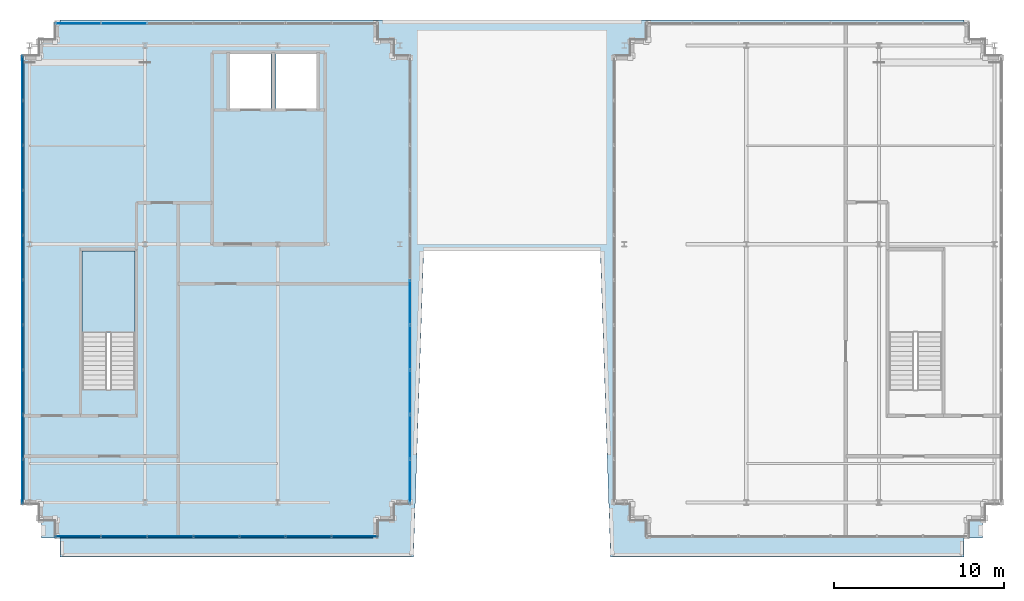
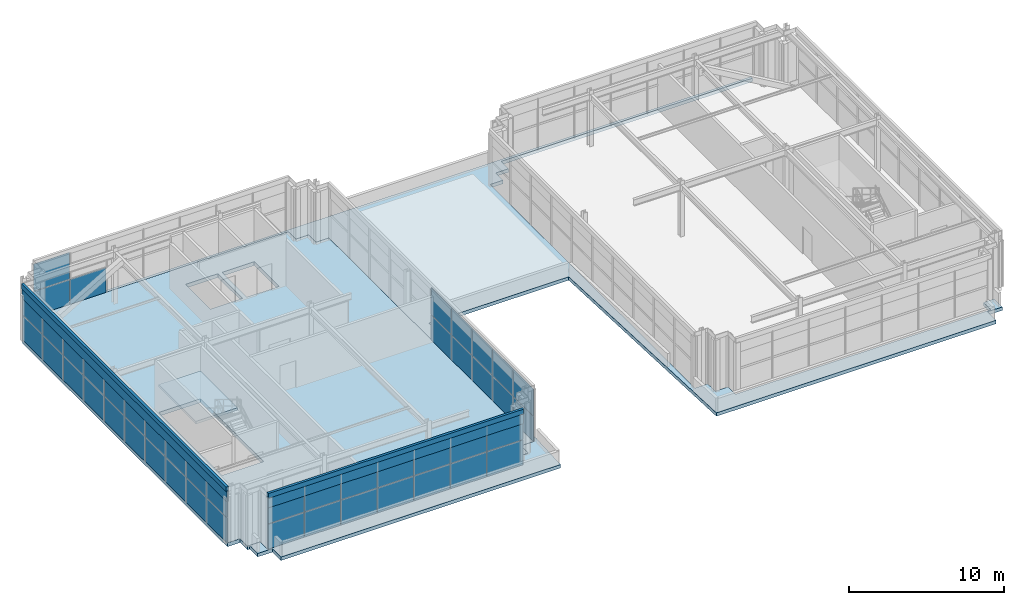
# One storey, part 23 of 31: 51 plates, 3 slabs, 5 elements without a shape of their own.
"""IFC4 building model written with IfcOpenShell, lengths in metres."""

from ifc_helpers import new_model, si_unit, direction, frame, origin, origin_2d, place, context, subcontext, project, spatial, polyline, rectangle, outline, extrude, source, transform, mapped, material, layer, layer_set, type_object, element, aggregate, save


model = new_model("IFC4")

# Units and contexts
model_context = context("Model", 3, precision=1e-05, world=origin(), true_north=direction((0.0, 1.0)))
body_context = subcontext(model_context, "Body", "Model", "MODEL_VIEW")
ifc_project = project(units=[si_unit("LENGTHUNIT", "METRE"), si_unit("AREAUNIT", "SQUARE_METRE"), si_unit("VOLUMEUNIT", "CUBIC_METRE"), si_unit("PLANEANGLEUNIT", "RADIAN"), si_unit("MASSUNIT", "GRAM", prefix="KILO")], contexts=[model_context])

# Site, building, storey
site_placement = place(None, origin())
site = spatial("IfcSite", under=ifc_project, at=site_placement, CompositionType="ELEMENT")
building_placement = place(site_placement, origin())
building = spatial("IfcBuilding", under=site, at=building_placement, Name="Trelvane Seafront Commons", CompositionType="ELEMENT")
storey_placement = place(building_placement, frame((0.0, 0.0, 307.89990234375)))
storey = spatial("IfcBuildingStorey", under=building, at=storey_placement, Name="L80", CompositionType="ELEMENT", Elevation=307.89990234375)

# Stair, slab
ifc_material_1 = material(Name="Concrete C40/50", Category="concrete")
stair_type = type_object("IfcStairType", Name="ARCH-STR-ST-5-R26-169", PredefinedType="HALF_TURN_STAIR", material=ifc_material_1)
stair_placement = place(storey_placement, origin())
stair = element("IfcStair", 1, at=stair_placement, inside=storey, type_object=stair_type, Name="L80 Crown West Peak Enclosed Maintenance Exit Stair ST-5", PredefinedType="HALF_TURN_STAIR")
ifc_layer_1 = layer(ifc_material_1, 0.199951171875, Name="ARCH-LND-200")
ifc_layer_set_1 = layer_set([ifc_layer_1], Name="Concrete C40/50")
slab_type_1 = type_object("IfcSlabType", Name="ARCH-LND-200", PredefinedType="LANDING", material=ifc_layer_set_1)
slab_1_placement = place(storey_placement, frame((0.0, 0.0, 2.0)))
slab_1 = element("IfcSlab", 2, at=slab_1_placement, type_object=slab_type_1, Name="ST-5 landing 1", PredefinedType="LANDING", context=body_context, shape_type="SweptSolid", body=[
    extrude(outline(polyline([(15.0, 28.2099609375), (15.0, 33.0), (11.89990234375, 33.0), (11.89990234375, 28.2099609375), (15.0, 28.2099609375)])), origin(), (0.0, 0.0, 1.0), 0.2001953125),
])
aggregate(stair, [slab_1])

# Slabs
ifc_layer_2 = layer(ifc_material_1, 0.27001953125, Name="STR-ROOF-270")
ifc_layer_set_2 = layer_set([ifc_layer_2], Name="Concrete C40/50")
slab_type_2 = type_object("IfcSlabType", Name="STR-ROOF-270", PredefinedType="ROOF", material=ifc_layer_set_2)
slab_2_placement = place(storey_placement, frame((0.0, 0.0, -0.27001953125)))
element("IfcSlab", 3, at=slab_2_placement, inside=storey, type_object=slab_type_2, Name="L80 Crown Setback Step Roof Slab", PredefinedType="ROOF", context=body_context, shape_type="SweptSolid", body=[
    extrude(outline(polyline([(64.89990234375, 17.14990234375), (64.10009765625, 17.14990234375), (64.10009765625, 16.199951171875), (45.10009765625, 16.199951171875), (45.10009765625, 17.14990234375), (44.14990234375, 17.14990234375), (44.14990234375, 18.10009765625), (43.199951171875, 18.10009765625), (43.199951171875, 44.5), (44.14990234375, 44.5), (44.14990234375, 45.449951171875), (45.10009765625, 45.449951171875), (45.10009765625, 46.39990234375), (63.800048828125, 46.39990234375), (63.800048828125, 46.60009765625), (10.60009765625, 46.60009765625), (10.60009765625, 46.39990234375), (29.300048828125, 46.39990234375), (29.300048828125, 45.449951171875), (30.25, 45.449951171875), (30.25, 44.5), (31.199951171875, 44.5), (31.199951171875, 18.10009765625), (30.25, 18.10009765625), (30.25, 17.14990234375), (29.300048828125, 17.14990234375), (29.300048828125, 16.199951171875), (10.300048828125, 16.199951171875), (10.300048828125, 17.14990234375), (9.5, 17.14990234375), (9.5, 16.10009765625), (10.60009765625, 16.10009765625), (10.60009765625, 15.0), (31.39990234375, 15.0), (32.0, 33.0), (42.39990234375, 33.0), (43.0, 15.0), (63.800048828125, 15.0), (63.800048828125, 16.10009765625), (64.89990234375, 16.10009765625), (64.89990234375, 17.14990234375)])), origin(), (0.0, 0.0, 1.0), 0.27001953125),
])
ifc_material_2 = material(Name="Concrete C50/60", Category="concrete")
ifc_layer_3 = layer(ifc_material_2, 0.2900390625, Name="STR-SLB-CRN290")
ifc_layer_set_3 = layer_set([ifc_layer_3], Name="Concrete C50/60")
slab_type_3 = type_object("IfcSlabType", Name="STR-SLB-CRN290", PredefinedType="FLOOR", material=ifc_layer_set_3)
slab_3_placement = place(storey_placement, frame((0.0, 0.0, -0.2998046875)))
element("IfcSlab", 4, at=slab_3_placement, inside=storey, type_object=slab_type_3, Name="L80 West Crown Peak Floor Slab", PredefinedType="FLOOR", context=body_context, shape_type="SweptSolid", body=[
    extrude(outline(polyline([(10.300048828125, 16.199951171875), (29.300048828125, 16.199951171875), (29.300048828125, 17.14990234375), (30.25, 17.14990234375), (30.25, 18.10009765625), (31.199951171875, 18.10009765625), (31.199951171875, 44.5), (30.25, 44.5), (30.25, 45.449951171875), (29.300048828125, 45.449951171875), (29.300048828125, 46.39990234375), (10.300048828125, 46.39990234375), (10.300048828125, 45.449951171875), (9.35009765625, 45.449951171875), (9.35009765625, 44.5), (8.39990234375, 44.5), (8.39990234375, 18.10009765625), (9.35009765625, 18.10009765625), (9.35009765625, 17.14990234375), (10.300048828125, 17.14990234375), (10.300048828125, 16.199951171875)]), holes=[polyline([(15.0, 33.0), (15.0, 24.85009765625), (11.89990234375, 24.85009765625), (11.89990234375, 33.0), (15.0, 33.0)]), polyline([(23.0, 44.60009765625), (23.0, 41.39990234375), (20.60009765625, 41.39990234375), (20.60009765625, 44.60009765625), (23.0, 44.60009765625)]), polyline([(25.699951171875, 44.60009765625), (25.699951171875, 41.39990234375), (23.300048828125, 41.39990234375), (23.300048828125, 44.60009765625), (25.699951171875, 44.60009765625)])]), origin(), (0.0, 0.0, 1.0), 0.2998046875),
])

# Curtain wall, plates
ifc_material_3 = material(Name="Anodised pale-silver aluminium", Category="aluminium")
curtain_wall_type = type_object("IfcCurtainWallType", Name="ARCH-CW6-CROWN", PredefinedType="NOTDEFINED", material=ifc_material_3)
curtain_wall_1_placement = place(storey_placement, origin())
curtain_wall_1 = element("IfcCurtainWall", 5, at=curtain_wall_1_placement, inside=storey, type_object=curtain_wall_type, Name="CW-L80-0136", PredefinedType="NOTDEFINED")
ifc_material_4 = material(Name="Low-E coastal double glazing", Category="glass")
ifc_layer_4 = layer(ifc_material_4, 0.033935546875, Name="ARCH-CW-GLAZ-34")
ifc_layer_set_4 = layer_set([ifc_layer_4], Name="Low-E coastal double glazing")
plate_type_1 = type_object("IfcPlateType", Name="ARCH-CW-GLAZ-34", PredefinedType="CURTAIN_PANEL", material=ifc_layer_set_4)
shared_shape_1 = source(origin(), body_context, "Body", "SweptSolid", [
    extrude(rectangle(XDim=2.615966796875, YDim=0.031982421875, at=origin_2d()), origin(), (0.0, 0.0, 1.0), 1.949951171875),
])
plate_1_placement = place(storey_placement, frame((8.39990234375, 19.419921875, 0.0), z_axis=(0.0, 0.0, 1.0), x_axis=(0.0, 1.0, 0.0)))
plate_1 = element("IfcPlate", 6, at=plate_1_placement, type_object=plate_type_1, Name="CW-L80-0136-P00-1", PredefinedType="CURTAIN_PANEL", context=body_context, shape_type="MappedRepresentation", body=[
    mapped(shared_shape_1, transform((0.0, 0.0, 0.0), x_axis=(1.0, 0.0, 0.0), y_axis=(0.0, 1.0, 0.0), z_axis=(0.0, 0.0, 1.0), scale=1.0)),
])
plate_2_placement = place(storey_placement, frame((8.39990234375, 22.06005859375, 0.0), z_axis=(0.0, 0.0, 1.0), x_axis=(0.0, 1.0, 0.0)))
plate_2 = element("IfcPlate", 7, at=plate_2_placement, type_object=plate_type_1, Name="CW-L80-0136-P01-1", PredefinedType="CURTAIN_PANEL", context=body_context, shape_type="MappedRepresentation", body=[
    mapped(shared_shape_1, transform((0.0, 0.0, 0.0), x_axis=(1.0, 0.0, 0.0), y_axis=(0.0, 1.0, 0.0), z_axis=(0.0, 0.0, 1.0), scale=1.0)),
])
plate_3_placement = place(storey_placement, frame((8.39990234375, 24.699951171875, 0.0), z_axis=(0.0, 0.0, 1.0), x_axis=(0.0, 1.0, 0.0)))
plate_3 = element("IfcPlate", 8, at=plate_3_placement, type_object=plate_type_1, Name="CW-L80-0136-P02-1", PredefinedType="CURTAIN_PANEL", context=body_context, shape_type="MappedRepresentation", body=[
    mapped(shared_shape_1, transform((0.0, 0.0, 0.0), x_axis=(1.0, 0.0, 0.0), y_axis=(0.0, 1.0, 0.0), z_axis=(0.0, 0.0, 1.0), scale=1.0)),
])
plate_4_placement = place(storey_placement, frame((8.39990234375, 27.340087890625, 0.0), z_axis=(0.0, 0.0, 1.0), x_axis=(0.0, 1.0, 0.0)))
plate_4 = element("IfcPlate", 9, at=plate_4_placement, type_object=plate_type_1, Name="CW-L80-0136-P03-1", PredefinedType="CURTAIN_PANEL", context=body_context, shape_type="MappedRepresentation", body=[
    mapped(shared_shape_1, transform((0.0, 0.0, 0.0), x_axis=(1.0, 0.0, 0.0), y_axis=(0.0, 1.0, 0.0), z_axis=(0.0, 0.0, 1.0), scale=1.0)),
])
plate_5_placement = place(storey_placement, frame((8.39990234375, 29.97998046875, 0.0), z_axis=(0.0, 0.0, 1.0), x_axis=(0.0, 1.0, 0.0)))
plate_5 = element("IfcPlate", 10, at=plate_5_placement, type_object=plate_type_1, Name="CW-L80-0136-P04-1", PredefinedType="CURTAIN_PANEL", context=body_context, shape_type="MappedRepresentation", body=[
    mapped(shared_shape_1, transform((0.0, 0.0, 0.0), x_axis=(1.0, 0.0, 0.0), y_axis=(0.0, 1.0, 0.0), z_axis=(0.0, 0.0, 1.0), scale=1.0)),
])
plate_6_placement = place(storey_placement, frame((8.39990234375, 32.6201171875, 0.0), z_axis=(0.0, 0.0, 1.0), x_axis=(0.0, 1.0, 0.0)))
plate_6 = element("IfcPlate", 11, at=plate_6_placement, type_object=plate_type_1, Name="CW-L80-0136-P05-1", PredefinedType="CURTAIN_PANEL", context=body_context, shape_type="MappedRepresentation", body=[
    mapped(shared_shape_1, transform((0.0, 0.0, 0.0), x_axis=(1.0, 0.0, 0.0), y_axis=(0.0, 1.0, 0.0), z_axis=(0.0, 0.0, 1.0), scale=1.0)),
])
plate_7_placement = place(storey_placement, frame((8.39990234375, 35.260009765625, 0.0), z_axis=(0.0, 0.0, 1.0), x_axis=(0.0, 1.0, 0.0)))
plate_7 = element("IfcPlate", 12, at=plate_7_placement, type_object=plate_type_1, Name="CW-L80-0136-P06-1", PredefinedType="CURTAIN_PANEL", context=body_context, shape_type="MappedRepresentation", body=[
    mapped(shared_shape_1, transform((0.0, 0.0, 0.0), x_axis=(1.0, 0.0, 0.0), y_axis=(0.0, 1.0, 0.0), z_axis=(0.0, 0.0, 1.0), scale=1.0)),
])
plate_8_placement = place(storey_placement, frame((8.39990234375, 37.89990234375, 0.0), z_axis=(0.0, 0.0, 1.0), x_axis=(0.0, 1.0, 0.0)))
plate_8 = element("IfcPlate", 13, at=plate_8_placement, type_object=plate_type_1, Name="CW-L80-0136-P07-1", PredefinedType="CURTAIN_PANEL", context=body_context, shape_type="MappedRepresentation", body=[
    mapped(shared_shape_1, transform((0.0, 0.0, 0.0), x_axis=(1.0, 0.0, 0.0), y_axis=(0.0, 1.0, 0.0), z_axis=(0.0, 0.0, 1.0), scale=1.0)),
])
plate_9_placement = place(storey_placement, frame((8.39990234375, 40.5400390625, 0.0), z_axis=(0.0, 0.0, 1.0), x_axis=(0.0, 1.0, 0.0)))
plate_9 = element("IfcPlate", 14, at=plate_9_placement, type_object=plate_type_1, Name="CW-L80-0136-P08-1", PredefinedType="CURTAIN_PANEL", context=body_context, shape_type="MappedRepresentation", body=[
    mapped(shared_shape_1, transform((0.0, 0.0, 0.0), x_axis=(1.0, 0.0, 0.0), y_axis=(0.0, 1.0, 0.0), z_axis=(0.0, 0.0, 1.0), scale=1.0)),
])
plate_10_placement = place(storey_placement, frame((8.39990234375, 43.179931640625, 0.0), z_axis=(0.0, 0.0, 1.0), x_axis=(0.0, 1.0, 0.0)))
plate_10 = element("IfcPlate", 15, at=plate_10_placement, type_object=plate_type_1, Name="CW-L80-0136-P09-1", PredefinedType="CURTAIN_PANEL", context=body_context, shape_type="MappedRepresentation", body=[
    mapped(shared_shape_1, transform((0.0, 0.0, 0.0), x_axis=(1.0, 0.0, 0.0), y_axis=(0.0, 1.0, 0.0), z_axis=(0.0, 0.0, 1.0), scale=1.0)),
])

curtain_wall_2_placement = place(storey_placement, origin())
curtain_wall_2 = element("IfcCurtainWall", 16, at=curtain_wall_2_placement, inside=storey, type_object=curtain_wall_type, Name="CW-L80-0138", PredefinedType="NOTDEFINED")
plate_11_placement = place(storey_placement, frame((31.199951171875, 29.97998046875, 0.0), z_axis=(0.0, 0.0, 1.0), x_axis=(0.0, -1.0, 0.0)))
plate_11 = element("IfcPlate", 17, at=plate_11_placement, type_object=plate_type_1, Name="CW-L80-0138-P05-1", PredefinedType="CURTAIN_PANEL", context=body_context, shape_type="MappedRepresentation", body=[
    mapped(shared_shape_1, transform((0.0, 0.0, 0.0), x_axis=(1.0, 0.0, 0.0), y_axis=(0.0, 1.0, 0.0), z_axis=(0.0, 0.0, 1.0), scale=1.0)),
])
plate_12_placement = place(storey_placement, frame((31.199951171875, 27.340087890625, 0.0), z_axis=(0.0, 0.0, 1.0), x_axis=(0.0, -1.0, 0.0)))
plate_12 = element("IfcPlate", 18, at=plate_12_placement, type_object=plate_type_1, Name="CW-L80-0138-P06-1", PredefinedType="CURTAIN_PANEL", context=body_context, shape_type="MappedRepresentation", body=[
    mapped(shared_shape_1, transform((0.0, 0.0, 0.0), x_axis=(1.0, 0.0, 0.0), y_axis=(0.0, 1.0, 0.0), z_axis=(0.0, 0.0, 1.0), scale=1.0)),
])
plate_13_placement = place(storey_placement, frame((31.199951171875, 24.699951171875, 0.0), z_axis=(0.0, 0.0, 1.0), x_axis=(0.0, -1.0, 0.0)))
plate_13 = element("IfcPlate", 19, at=plate_13_placement, type_object=plate_type_1, Name="CW-L80-0138-P07-1", PredefinedType="CURTAIN_PANEL", context=body_context, shape_type="MappedRepresentation", body=[
    mapped(shared_shape_1, transform((0.0, 0.0, 0.0), x_axis=(1.0, 0.0, 0.0), y_axis=(0.0, 1.0, 0.0), z_axis=(0.0, 0.0, 1.0), scale=1.0)),
])
plate_14_placement = place(storey_placement, frame((31.199951171875, 22.06005859375, 0.0), z_axis=(0.0, 0.0, 1.0), x_axis=(0.0, -1.0, 0.0)))
plate_14 = element("IfcPlate", 20, at=plate_14_placement, type_object=plate_type_1, Name="CW-L80-0138-P08-1", PredefinedType="CURTAIN_PANEL", context=body_context, shape_type="MappedRepresentation", body=[
    mapped(shared_shape_1, transform((0.0, 0.0, 0.0), x_axis=(1.0, 0.0, 0.0), y_axis=(0.0, 1.0, 0.0), z_axis=(0.0, 0.0, 1.0), scale=1.0)),
])
plate_15_placement = place(storey_placement, frame((31.199951171875, 19.419921875, 0.0), z_axis=(0.0, 0.0, 1.0), x_axis=(0.0, -1.0, 0.0)))
plate_15 = element("IfcPlate", 21, at=plate_15_placement, type_object=plate_type_1, Name="CW-L80-0138-P09-1", PredefinedType="CURTAIN_PANEL", context=body_context, shape_type="MappedRepresentation", body=[
    mapped(shared_shape_1, transform((0.0, 0.0, 0.0), x_axis=(1.0, 0.0, 0.0), y_axis=(0.0, 1.0, 0.0), z_axis=(0.0, 0.0, 1.0), scale=1.0)),
])

# Plate
shared_shape_2 = source(origin(), body_context, "Body", "SweptSolid", [
    extrude(rectangle(XDim=2.615966796875, YDim=0.031982421875, at=origin_2d()), origin(), (0.0, 0.0, 1.0), 2.114013671875),
])
plate_16_placement = place(storey_placement, frame((8.39990234375, 19.419921875, 1.986328125), z_axis=(0.0, 0.0, 1.0), x_axis=(0.0, 1.0, 0.0)))
plate_16 = element("IfcPlate", 22, at=plate_16_placement, type_object=plate_type_1, Name="CW-L80-0136-P00-2", PredefinedType="CURTAIN_PANEL", context=body_context, shape_type="MappedRepresentation", body=[
    mapped(shared_shape_2, transform((0.0, 0.0, 0.0), x_axis=(1.0, 0.0, 0.0), y_axis=(0.0, 1.0, 0.0), z_axis=(0.0, 0.0, 1.0), scale=1.0)),
])

plate_17_placement = place(storey_placement, frame((8.39990234375, 22.06005859375, 1.986328125), z_axis=(0.0, 0.0, 1.0), x_axis=(0.0, 1.0, 0.0)))
plate_17 = element("IfcPlate", 23, at=plate_17_placement, type_object=plate_type_1, Name="CW-L80-0136-P01-2", PredefinedType="CURTAIN_PANEL", context=body_context, shape_type="MappedRepresentation", body=[
    mapped(shared_shape_2, transform((0.0, 0.0, 0.0), x_axis=(1.0, 0.0, 0.0), y_axis=(0.0, 1.0, 0.0), z_axis=(0.0, 0.0, 1.0), scale=1.0)),
])

plate_18_placement = place(storey_placement, frame((8.39990234375, 24.699951171875, 1.986328125), z_axis=(0.0, 0.0, 1.0), x_axis=(0.0, 1.0, 0.0)))
plate_18 = element("IfcPlate", 24, at=plate_18_placement, type_object=plate_type_1, Name="CW-L80-0136-P02-2", PredefinedType="CURTAIN_PANEL", context=body_context, shape_type="MappedRepresentation", body=[
    mapped(shared_shape_2, transform((0.0, 0.0, 0.0), x_axis=(1.0, 0.0, 0.0), y_axis=(0.0, 1.0, 0.0), z_axis=(0.0, 0.0, 1.0), scale=1.0)),
])

plate_19_placement = place(storey_placement, frame((8.39990234375, 27.340087890625, 1.986328125), z_axis=(0.0, 0.0, 1.0), x_axis=(0.0, 1.0, 0.0)))
plate_19 = element("IfcPlate", 25, at=plate_19_placement, type_object=plate_type_1, Name="CW-L80-0136-P03-2", PredefinedType="CURTAIN_PANEL", context=body_context, shape_type="MappedRepresentation", body=[
    mapped(shared_shape_2, transform((0.0, 0.0, 0.0), x_axis=(1.0, 0.0, 0.0), y_axis=(0.0, 1.0, 0.0), z_axis=(0.0, 0.0, 1.0), scale=1.0)),
])

plate_20_placement = place(storey_placement, frame((8.39990234375, 29.97998046875, 1.986328125), z_axis=(0.0, 0.0, 1.0), x_axis=(0.0, 1.0, 0.0)))
plate_20 = element("IfcPlate", 26, at=plate_20_placement, type_object=plate_type_1, Name="CW-L80-0136-P04-2", PredefinedType="CURTAIN_PANEL", context=body_context, shape_type="MappedRepresentation", body=[
    mapped(shared_shape_2, transform((0.0, 0.0, 0.0), x_axis=(1.0, 0.0, 0.0), y_axis=(0.0, 1.0, 0.0), z_axis=(0.0, 0.0, 1.0), scale=1.0)),
])

plate_21_placement = place(storey_placement, frame((8.39990234375, 32.6201171875, 1.986328125), z_axis=(0.0, 0.0, 1.0), x_axis=(0.0, 1.0, 0.0)))
plate_21 = element("IfcPlate", 27, at=plate_21_placement, type_object=plate_type_1, Name="CW-L80-0136-P05-2", PredefinedType="CURTAIN_PANEL", context=body_context, shape_type="MappedRepresentation", body=[
    mapped(shared_shape_2, transform((0.0, 0.0, 0.0), x_axis=(1.0, 0.0, 0.0), y_axis=(0.0, 1.0, 0.0), z_axis=(0.0, 0.0, 1.0), scale=1.0)),
])

plate_22_placement = place(storey_placement, frame((8.39990234375, 35.260009765625, 1.986328125), z_axis=(0.0, 0.0, 1.0), x_axis=(0.0, 1.0, 0.0)))
plate_22 = element("IfcPlate", 28, at=plate_22_placement, type_object=plate_type_1, Name="CW-L80-0136-P06-2", PredefinedType="CURTAIN_PANEL", context=body_context, shape_type="MappedRepresentation", body=[
    mapped(shared_shape_2, transform((0.0, 0.0, 0.0), x_axis=(1.0, 0.0, 0.0), y_axis=(0.0, 1.0, 0.0), z_axis=(0.0, 0.0, 1.0), scale=1.0)),
])

plate_23_placement = place(storey_placement, frame((8.39990234375, 37.89990234375, 1.986328125), z_axis=(0.0, 0.0, 1.0), x_axis=(0.0, 1.0, 0.0)))
plate_23 = element("IfcPlate", 29, at=plate_23_placement, type_object=plate_type_1, Name="CW-L80-0136-P07-2", PredefinedType="CURTAIN_PANEL", context=body_context, shape_type="MappedRepresentation", body=[
    mapped(shared_shape_2, transform((0.0, 0.0, 0.0), x_axis=(1.0, 0.0, 0.0), y_axis=(0.0, 1.0, 0.0), z_axis=(0.0, 0.0, 1.0), scale=1.0)),
])

plate_24_placement = place(storey_placement, frame((8.39990234375, 40.5400390625, 1.986328125), z_axis=(0.0, 0.0, 1.0), x_axis=(0.0, 1.0, 0.0)))
plate_24 = element("IfcPlate", 30, at=plate_24_placement, type_object=plate_type_1, Name="CW-L80-0136-P08-2", PredefinedType="CURTAIN_PANEL", context=body_context, shape_type="MappedRepresentation", body=[
    mapped(shared_shape_2, transform((0.0, 0.0, 0.0), x_axis=(1.0, 0.0, 0.0), y_axis=(0.0, 1.0, 0.0), z_axis=(0.0, 0.0, 1.0), scale=1.0)),
])

plate_25_placement = place(storey_placement, frame((8.39990234375, 43.179931640625, 1.986328125), z_axis=(0.0, 0.0, 1.0), x_axis=(0.0, 1.0, 0.0)))
plate_25 = element("IfcPlate", 31, at=plate_25_placement, type_object=plate_type_1, Name="CW-L80-0136-P09-2", PredefinedType="CURTAIN_PANEL", context=body_context, shape_type="MappedRepresentation", body=[
    mapped(shared_shape_2, transform((0.0, 0.0, 0.0), x_axis=(1.0, 0.0, 0.0), y_axis=(0.0, 1.0, 0.0), z_axis=(0.0, 0.0, 1.0), scale=1.0)),
])

aggregate(curtain_wall_1, [plate_1, plate_16, plate_2, plate_17, plate_3, plate_18, plate_4, plate_19, plate_5, plate_20, plate_6, plate_21, plate_7, plate_22, plate_8, plate_23, plate_9, plate_24, plate_10, plate_25])

plate_26_placement = place(storey_placement, frame((31.199951171875, 29.97998046875, 1.986328125), z_axis=(0.0, 0.0, 1.0), x_axis=(0.0, -1.0, 0.0)))
plate_26 = element("IfcPlate", 32, at=plate_26_placement, type_object=plate_type_1, Name="CW-L80-0138-P05-2", PredefinedType="CURTAIN_PANEL", context=body_context, shape_type="MappedRepresentation", body=[
    mapped(shared_shape_2, transform((0.0, 0.0, 0.0), x_axis=(1.0, 0.0, 0.0), y_axis=(0.0, 1.0, 0.0), z_axis=(0.0, 0.0, 1.0), scale=1.0)),
])

plate_27_placement = place(storey_placement, frame((31.199951171875, 27.340087890625, 1.986328125), z_axis=(0.0, 0.0, 1.0), x_axis=(0.0, -1.0, 0.0)))
plate_27 = element("IfcPlate", 33, at=plate_27_placement, type_object=plate_type_1, Name="CW-L80-0138-P06-2", PredefinedType="CURTAIN_PANEL", context=body_context, shape_type="MappedRepresentation", body=[
    mapped(shared_shape_2, transform((0.0, 0.0, 0.0), x_axis=(1.0, 0.0, 0.0), y_axis=(0.0, 1.0, 0.0), z_axis=(0.0, 0.0, 1.0), scale=1.0)),
])

plate_28_placement = place(storey_placement, frame((31.199951171875, 24.699951171875, 1.986328125), z_axis=(0.0, 0.0, 1.0), x_axis=(0.0, -1.0, 0.0)))
plate_28 = element("IfcPlate", 34, at=plate_28_placement, type_object=plate_type_1, Name="CW-L80-0138-P07-2", PredefinedType="CURTAIN_PANEL", context=body_context, shape_type="MappedRepresentation", body=[
    mapped(shared_shape_2, transform((0.0, 0.0, 0.0), x_axis=(1.0, 0.0, 0.0), y_axis=(0.0, 1.0, 0.0), z_axis=(0.0, 0.0, 1.0), scale=1.0)),
])

plate_29_placement = place(storey_placement, frame((31.199951171875, 22.06005859375, 1.986328125), z_axis=(0.0, 0.0, 1.0), x_axis=(0.0, -1.0, 0.0)))
plate_29 = element("IfcPlate", 35, at=plate_29_placement, type_object=plate_type_1, Name="CW-L80-0138-P08-2", PredefinedType="CURTAIN_PANEL", context=body_context, shape_type="MappedRepresentation", body=[
    mapped(shared_shape_2, transform((0.0, 0.0, 0.0), x_axis=(1.0, 0.0, 0.0), y_axis=(0.0, 1.0, 0.0), z_axis=(0.0, 0.0, 1.0), scale=1.0)),
])

plate_30_placement = place(storey_placement, frame((31.199951171875, 19.419921875, 1.986328125), z_axis=(0.0, 0.0, 1.0), x_axis=(0.0, -1.0, 0.0)))
plate_30 = element("IfcPlate", 36, at=plate_30_placement, type_object=plate_type_1, Name="CW-L80-0138-P09-2", PredefinedType="CURTAIN_PANEL", context=body_context, shape_type="MappedRepresentation", body=[
    mapped(shared_shape_2, transform((0.0, 0.0, 0.0), x_axis=(1.0, 0.0, 0.0), y_axis=(0.0, 1.0, 0.0), z_axis=(0.0, 0.0, 1.0), scale=1.0)),
])

aggregate(curtain_wall_2, [plate_11, plate_26, plate_12, plate_27, plate_13, plate_28, plate_14, plate_29, plate_15, plate_30])

# Plates
ifc_layer_5 = layer(ifc_material_3, 0.080078125, Name="ARCH-PLATE-LOUVRE")
ifc_layer_set_5 = layer_set([ifc_layer_5], Name="Anodised pale-silver aluminium")
plate_type_2 = type_object("IfcPlateType", Name="ARCH-PLATE-LOUVRE", PredefinedType="USERDEFINED", material=ifc_layer_set_5)
shared_shape_3 = source(origin(), body_context, "Body", "SweptSolid", [
    extrude(rectangle(XDim=26.39990234375, YDim=0.080078125, at=origin_2d()), origin(), (0.0, 0.0, 1.0), 0.889892578125),
])
plate_31_placement = place(storey_placement, frame((8.39990234375, 31.300048828125, 3.25), z_axis=(0.0, 0.0, 1.0), x_axis=(0.0, 1.0, 0.0)))
element("IfcPlate", 37, at=plate_31_placement, inside=storey, type_object=plate_type_2, Name="LOU-L80-025", ObjectType="LOUVRE", PredefinedType="USERDEFINED", context=body_context, shape_type="MappedRepresentation", body=[
    mapped(shared_shape_3, transform((0.0, 0.0, 0.0), x_axis=(1.0, 0.0, 0.0), y_axis=(0.0, 1.0, 0.0), z_axis=(0.0, 0.0, 1.0), scale=1.0)),
])
ifc_layer_6 = layer(ifc_material_3, 0.179931640625, Name="ARCH-PLATE-AERO")
ifc_layer_set_6 = layer_set([ifc_layer_6], Name="Anodised pale-silver aluminium")
plate_type_3 = type_object("IfcPlateType", Name="ARCH-PLATE-AERO", PredefinedType="SHEET", material=ifc_layer_set_6)
shared_shape_4 = source(origin(), body_context, "Body", "SweptSolid", [
    extrude(rectangle(XDim=26.39990234375, YDim=0.179931640625, at=origin_2d()), origin(), (0.0, 0.0, 1.0), 0.3798828125),
])
plate_32_placement = place(storey_placement, frame((8.39990234375, 31.300048828125, 4.0400390625), z_axis=(0.0, 0.0, 1.0), x_axis=(0.0, 1.0, 0.0)))
element("IfcPlate", 38, at=plate_32_placement, inside=storey, type_object=plate_type_3, Name="AER-L80-00282", PredefinedType="SHEET", context=body_context, shape_type="MappedRepresentation", body=[
    mapped(shared_shape_4, transform((0.0, 0.0, 0.0), x_axis=(1.0, 0.0, 0.0), y_axis=(0.0, 1.0, 0.0), z_axis=(0.0, 0.0, 1.0), scale=1.0)),
])

# Curtain wall, plates
curtain_wall_3_placement = place(storey_placement, origin())
curtain_wall_3 = element("IfcCurtainWall", 39, at=curtain_wall_3_placement, inside=storey, type_object=curtain_wall_type, Name="CW-L80-0137", PredefinedType="NOTDEFINED")
shared_shape_5 = source(origin(), body_context, "Body", "SweptSolid", [
    extrude(rectangle(XDim=2.690185546875, YDim=0.031982421875, at=origin_2d()), origin(), (0.0, 0.0, 1.0), 1.949951171875),
])
plate_33_placement = place(storey_placement, frame((11.656982421875, 46.39990234375, 0.0), z_axis=(0.0, 0.0, 1.0), x_axis=(1.0, 0.0, 0.0)))
plate_33 = element("IfcPlate", 40, at=plate_33_placement, type_object=plate_type_1, Name="CW-L80-0137-P00-1", PredefinedType="CURTAIN_PANEL", context=body_context, shape_type="MappedRepresentation", body=[
    mapped(shared_shape_5, transform((0.0, 0.0, 0.0), x_axis=(1.0, 0.0, 0.0), y_axis=(0.0, 1.0, 0.0), z_axis=(0.0, 0.0, 1.0), scale=1.0)),
])
plate_34_placement = place(storey_placement, frame((14.371337890625, 46.39990234375, 0.0), z_axis=(0.0, 0.0, 1.0), x_axis=(1.0, 0.0, 0.0)))
plate_34 = element("IfcPlate", 41, at=plate_34_placement, type_object=plate_type_1, Name="CW-L80-0137-P01-1", PredefinedType="CURTAIN_PANEL", context=body_context, shape_type="MappedRepresentation", body=[
    mapped(shared_shape_5, transform((0.0, 0.0, 0.0), x_axis=(1.0, 0.0, 0.0), y_axis=(0.0, 1.0, 0.0), z_axis=(0.0, 0.0, 1.0), scale=1.0)),
])

curtain_wall_4_placement = place(storey_placement, origin())
curtain_wall_4 = element("IfcCurtainWall", 42, at=curtain_wall_4_placement, inside=storey, type_object=curtain_wall_type, Name="CW-L80-0139", PredefinedType="NOTDEFINED")
plate_35_placement = place(storey_placement, frame((27.94287109375, 16.199951171875, 0.0), z_axis=(0.0, 0.0, 1.0), x_axis=(-1.0, 0.0, 0.0)))
plate_35 = element("IfcPlate", 43, at=plate_35_placement, type_object=plate_type_1, Name="CW-L80-0139-P00-1", PredefinedType="CURTAIN_PANEL", context=body_context, shape_type="MappedRepresentation", body=[
    mapped(shared_shape_5, transform((0.0, 0.0, 0.0), x_axis=(1.0, 0.0, 0.0), y_axis=(0.0, 1.0, 0.0), z_axis=(0.0, 0.0, 1.0), scale=1.0)),
])
plate_36_placement = place(storey_placement, frame((25.228515625, 16.199951171875, 0.0), z_axis=(0.0, 0.0, 1.0), x_axis=(-1.0, 0.0, 0.0)))
plate_36 = element("IfcPlate", 44, at=plate_36_placement, type_object=plate_type_1, Name="CW-L80-0139-P01-1", PredefinedType="CURTAIN_PANEL", context=body_context, shape_type="MappedRepresentation", body=[
    mapped(shared_shape_5, transform((0.0, 0.0, 0.0), x_axis=(1.0, 0.0, 0.0), y_axis=(0.0, 1.0, 0.0), z_axis=(0.0, 0.0, 1.0), scale=1.0)),
])
plate_37_placement = place(storey_placement, frame((22.514404296875, 16.199951171875, 0.0), z_axis=(0.0, 0.0, 1.0), x_axis=(-1.0, 0.0, 0.0)))
plate_37 = element("IfcPlate", 45, at=plate_37_placement, type_object=plate_type_1, Name="CW-L80-0139-P02-1", PredefinedType="CURTAIN_PANEL", context=body_context, shape_type="MappedRepresentation", body=[
    mapped(shared_shape_5, transform((0.0, 0.0, 0.0), x_axis=(1.0, 0.0, 0.0), y_axis=(0.0, 1.0, 0.0), z_axis=(0.0, 0.0, 1.0), scale=1.0)),
])
plate_38_placement = place(storey_placement, frame((19.800048828125, 16.199951171875, 0.0), z_axis=(0.0, 0.0, 1.0), x_axis=(-1.0, 0.0, 0.0)))
plate_38 = element("IfcPlate", 46, at=plate_38_placement, type_object=plate_type_1, Name="CW-L80-0139-P03-1", PredefinedType="CURTAIN_PANEL", context=body_context, shape_type="MappedRepresentation", body=[
    mapped(shared_shape_5, transform((0.0, 0.0, 0.0), x_axis=(1.0, 0.0, 0.0), y_axis=(0.0, 1.0, 0.0), z_axis=(0.0, 0.0, 1.0), scale=1.0)),
])
plate_39_placement = place(storey_placement, frame((17.085693359375, 16.199951171875, 0.0), z_axis=(0.0, 0.0, 1.0), x_axis=(-1.0, 0.0, 0.0)))
plate_39 = element("IfcPlate", 47, at=plate_39_placement, type_object=plate_type_1, Name="CW-L80-0139-P04-1", PredefinedType="CURTAIN_PANEL", context=body_context, shape_type="MappedRepresentation", body=[
    mapped(shared_shape_5, transform((0.0, 0.0, 0.0), x_axis=(1.0, 0.0, 0.0), y_axis=(0.0, 1.0, 0.0), z_axis=(0.0, 0.0, 1.0), scale=1.0)),
])
plate_40_placement = place(storey_placement, frame((14.371337890625, 16.199951171875, 0.0), z_axis=(0.0, 0.0, 1.0), x_axis=(-1.0, 0.0, 0.0)))
plate_40 = element("IfcPlate", 48, at=plate_40_placement, type_object=plate_type_1, Name="CW-L80-0139-P05-1", PredefinedType="CURTAIN_PANEL", context=body_context, shape_type="MappedRepresentation", body=[
    mapped(shared_shape_5, transform((0.0, 0.0, 0.0), x_axis=(1.0, 0.0, 0.0), y_axis=(0.0, 1.0, 0.0), z_axis=(0.0, 0.0, 1.0), scale=1.0)),
])
plate_41_placement = place(storey_placement, frame((11.656982421875, 16.199951171875, 0.0), z_axis=(0.0, 0.0, 1.0), x_axis=(-1.0, 0.0, 0.0)))
plate_41 = element("IfcPlate", 49, at=plate_41_placement, type_object=plate_type_1, Name="CW-L80-0139-P06-1", PredefinedType="CURTAIN_PANEL", context=body_context, shape_type="MappedRepresentation", body=[
    mapped(shared_shape_5, transform((0.0, 0.0, 0.0), x_axis=(1.0, 0.0, 0.0), y_axis=(0.0, 1.0, 0.0), z_axis=(0.0, 0.0, 1.0), scale=1.0)),
])

# Plate
shared_shape_6 = source(origin(), body_context, "Body", "SweptSolid", [
    extrude(rectangle(XDim=2.690185546875, YDim=0.031982421875, at=origin_2d()), origin(), (0.0, 0.0, 1.0), 2.114013671875),
])
plate_42_placement = place(storey_placement, frame((11.656982421875, 46.39990234375, 1.986328125), z_axis=(0.0, 0.0, 1.0), x_axis=(1.0, 0.0, 0.0)))
plate_42 = element("IfcPlate", 50, at=plate_42_placement, type_object=plate_type_1, Name="CW-L80-0137-P00-2", PredefinedType="CURTAIN_PANEL", context=body_context, shape_type="MappedRepresentation", body=[
    mapped(shared_shape_6, transform((0.0, 0.0, 0.0), x_axis=(1.0, 0.0, 0.0), y_axis=(0.0, 1.0, 0.0), z_axis=(0.0, 0.0, 1.0), scale=1.0)),
])

aggregate(curtain_wall_3, [plate_33, plate_42, plate_34])

plate_43_placement = place(storey_placement, frame((27.94287109375, 16.199951171875, 1.986328125), z_axis=(0.0, 0.0, 1.0), x_axis=(-1.0, 0.0, 0.0)))
plate_43 = element("IfcPlate", 51, at=plate_43_placement, type_object=plate_type_1, Name="CW-L80-0139-P00-2", PredefinedType="CURTAIN_PANEL", context=body_context, shape_type="MappedRepresentation", body=[
    mapped(shared_shape_6, transform((0.0, 0.0, 0.0), x_axis=(1.0, 0.0, 0.0), y_axis=(0.0, 1.0, 0.0), z_axis=(0.0, 0.0, 1.0), scale=1.0)),
])

plate_44_placement = place(storey_placement, frame((25.228515625, 16.199951171875, 1.986328125), z_axis=(0.0, 0.0, 1.0), x_axis=(-1.0, 0.0, 0.0)))
plate_44 = element("IfcPlate", 52, at=plate_44_placement, type_object=plate_type_1, Name="CW-L80-0139-P01-2", PredefinedType="CURTAIN_PANEL", context=body_context, shape_type="MappedRepresentation", body=[
    mapped(shared_shape_6, transform((0.0, 0.0, 0.0), x_axis=(1.0, 0.0, 0.0), y_axis=(0.0, 1.0, 0.0), z_axis=(0.0, 0.0, 1.0), scale=1.0)),
])

plate_45_placement = place(storey_placement, frame((22.514404296875, 16.199951171875, 1.986328125), z_axis=(0.0, 0.0, 1.0), x_axis=(-1.0, 0.0, 0.0)))
plate_45 = element("IfcPlate", 53, at=plate_45_placement, type_object=plate_type_1, Name="CW-L80-0139-P02-2", PredefinedType="CURTAIN_PANEL", context=body_context, shape_type="MappedRepresentation", body=[
    mapped(shared_shape_6, transform((0.0, 0.0, 0.0), x_axis=(1.0, 0.0, 0.0), y_axis=(0.0, 1.0, 0.0), z_axis=(0.0, 0.0, 1.0), scale=1.0)),
])

plate_46_placement = place(storey_placement, frame((19.800048828125, 16.199951171875, 1.986328125), z_axis=(0.0, 0.0, 1.0), x_axis=(-1.0, 0.0, 0.0)))
plate_46 = element("IfcPlate", 54, at=plate_46_placement, type_object=plate_type_1, Name="CW-L80-0139-P03-2", PredefinedType="CURTAIN_PANEL", context=body_context, shape_type="MappedRepresentation", body=[
    mapped(shared_shape_6, transform((0.0, 0.0, 0.0), x_axis=(1.0, 0.0, 0.0), y_axis=(0.0, 1.0, 0.0), z_axis=(0.0, 0.0, 1.0), scale=1.0)),
])

plate_47_placement = place(storey_placement, frame((17.085693359375, 16.199951171875, 1.986328125), z_axis=(0.0, 0.0, 1.0), x_axis=(-1.0, 0.0, 0.0)))
plate_47 = element("IfcPlate", 55, at=plate_47_placement, type_object=plate_type_1, Name="CW-L80-0139-P04-2", PredefinedType="CURTAIN_PANEL", context=body_context, shape_type="MappedRepresentation", body=[
    mapped(shared_shape_6, transform((0.0, 0.0, 0.0), x_axis=(1.0, 0.0, 0.0), y_axis=(0.0, 1.0, 0.0), z_axis=(0.0, 0.0, 1.0), scale=1.0)),
])

plate_48_placement = place(storey_placement, frame((14.371337890625, 16.199951171875, 1.986328125), z_axis=(0.0, 0.0, 1.0), x_axis=(-1.0, 0.0, 0.0)))
plate_48 = element("IfcPlate", 56, at=plate_48_placement, type_object=plate_type_1, Name="CW-L80-0139-P05-2", PredefinedType="CURTAIN_PANEL", context=body_context, shape_type="MappedRepresentation", body=[
    mapped(shared_shape_6, transform((0.0, 0.0, 0.0), x_axis=(1.0, 0.0, 0.0), y_axis=(0.0, 1.0, 0.0), z_axis=(0.0, 0.0, 1.0), scale=1.0)),
])

plate_49_placement = place(storey_placement, frame((11.656982421875, 16.199951171875, 1.986328125), z_axis=(0.0, 0.0, 1.0), x_axis=(-1.0, 0.0, 0.0)))
plate_49 = element("IfcPlate", 57, at=plate_49_placement, type_object=plate_type_1, Name="CW-L80-0139-P06-2", PredefinedType="CURTAIN_PANEL", context=body_context, shape_type="MappedRepresentation", body=[
    mapped(shared_shape_6, transform((0.0, 0.0, 0.0), x_axis=(1.0, 0.0, 0.0), y_axis=(0.0, 1.0, 0.0), z_axis=(0.0, 0.0, 1.0), scale=1.0)),
])

aggregate(curtain_wall_4, [plate_35, plate_43, plate_36, plate_44, plate_37, plate_45, plate_38, plate_46, plate_39, plate_47, plate_40, plate_48, plate_41, plate_49])

# Plates
shared_shape_7 = source(origin(), body_context, "Body", "SweptSolid", [
    extrude(rectangle(XDim=19.0, YDim=0.080078125, at=origin_2d()), origin(), (0.0, 0.0, 1.0), 0.889892578125),
])
plate_50_placement = place(storey_placement, frame((19.800048828125, 16.199951171875, 3.25), z_axis=(0.0, 0.0, 1.0), x_axis=(-1.0, 0.0, 0.0)))
element("IfcPlate", 58, at=plate_50_placement, inside=storey, type_object=plate_type_2, Name="LOU-L80-028", ObjectType="LOUVRE", PredefinedType="USERDEFINED", context=body_context, shape_type="MappedRepresentation", body=[
    mapped(shared_shape_7, transform((0.0, 0.0, 0.0), x_axis=(1.0, 0.0, 0.0), y_axis=(0.0, 1.0, 0.0), z_axis=(0.0, 0.0, 1.0), scale=1.0)),
])
shared_shape_8 = source(origin(), body_context, "Body", "SweptSolid", [
    extrude(rectangle(XDim=19.0, YDim=0.179931640625, at=origin_2d()), origin(), (0.0, 0.0, 1.0), 0.3798828125),
])
plate_51_placement = place(storey_placement, frame((19.800048828125, 16.199951171875, 4.0400390625), z_axis=(0.0, 0.0, 1.0), x_axis=(-1.0, 0.0, 0.0)))
element("IfcPlate", 59, at=plate_51_placement, inside=storey, type_object=plate_type_3, Name="AER-L80-00285", PredefinedType="SHEET", context=body_context, shape_type="MappedRepresentation", body=[
    mapped(shared_shape_8, transform((0.0, 0.0, 0.0), x_axis=(1.0, 0.0, 0.0), y_axis=(0.0, 1.0, 0.0), z_axis=(0.0, 0.0, 1.0), scale=1.0)),
])

save(model, "model.ifc")
